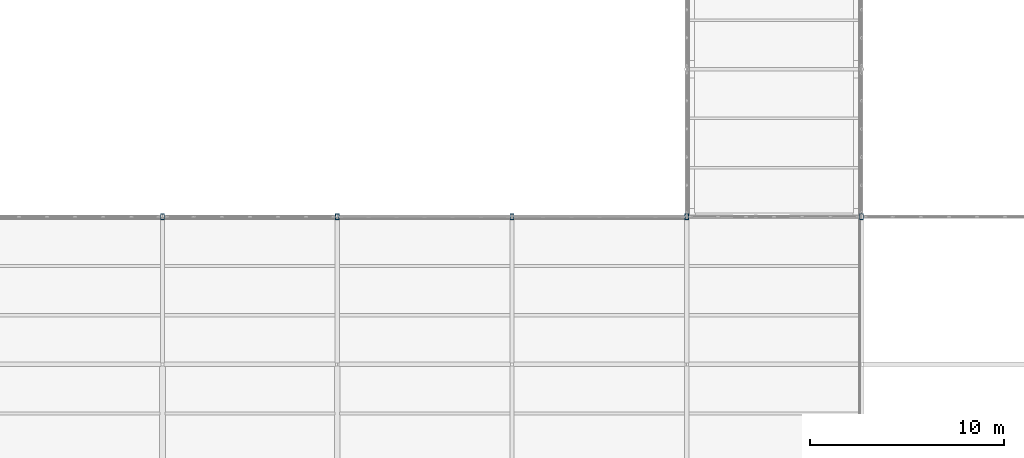
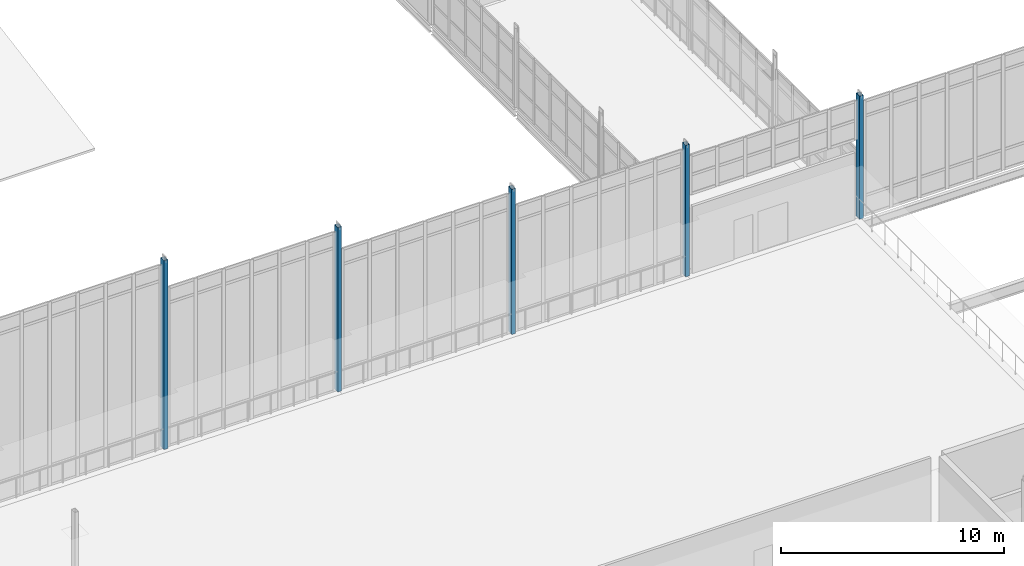
# One storey, part 5 of 166: 5 columns.
"""IFC4 building model written with IfcOpenShell, lengths in metres."""

from ifc_helpers import new_model, si_unit, direction, frame, origin, origin_2d, place, context, subcontext, project, spatial, hollow_rectangle, extrude, material, material_profile, profile_set, type_object, element, save


model = new_model("IFC4")

# Units and contexts
model_context = context("Model", 3, precision=1e-05, world=origin(), true_north=direction((0.0, 1.0)))
body_context = subcontext(model_context, "Body", "Model", "MODEL_VIEW")
ifc_project = project(units=[si_unit("LENGTHUNIT", "METRE"), si_unit("AREAUNIT", "SQUARE_METRE"), si_unit("VOLUMEUNIT", "CUBIC_METRE"), si_unit("PLANEANGLEUNIT", "RADIAN"), si_unit("MASSUNIT", "GRAM", prefix="KILO")], contexts=[model_context])

# Site, building, storey
site_placement = place(None, origin())
site = spatial("IfcSite", under=ifc_project, at=site_placement, CompositionType="ELEMENT")
building_placement = place(site_placement, origin())
building = spatial("IfcBuilding", under=site, at=building_placement, Name="Caisbarro Railhouse Central Library", CompositionType="ELEMENT")
storey_placement = place(building_placement, frame((0.0, 0.0, 9.360107421875)))
storey = spatial("IfcBuildingStorey", under=building, at=storey_placement, Name="L02", CompositionType="ELEMENT", Elevation=9.360107421875)

# Columns
ifc_material = material(Name="Steel ASTM A572 Grade 50", Category="steel")
ifc_material_profile = material_profile(ifc_material, hollow_rectangle(XDim=0.199951171875, YDim=0.300048828125, WallThickness=0.012451171875, at=origin_2d()), Name="HSS300X200X12.5")
ifc_profile_set = profile_set([ifc_material_profile], Name="Steel ASTM A572 Grade 50")
column_type = type_object("IfcColumnType", Name="COL-C09", PredefinedType="COLUMN", material=ifc_profile_set)
column_1_placement = place(storey_placement, frame((27.0, 60.800048828125, 0.0), z_axis=(0.0, 0.0, 1.0), x_axis=(1.0, 0.0, 0.0)))
element("IfcColumn", 1, at=column_1_placement, inside=storey, type_object=column_type, Name="C09 column L02 (27.0,60.8)", PredefinedType="COLUMN", context=body_context, shape_type="SweptSolid", body=[
    extrude(hollow_rectangle(XDim=0.199951171875, YDim=0.300048828125, WallThickness=0.012451171875, at=origin_2d()), origin(), (0.0, 0.0, 1.0), 10.33984375),
])
column_2_placement = place(storey_placement, frame((36.0, 60.800048828125, 0.0), z_axis=(0.0, 0.0, 1.0), x_axis=(1.0, 0.0, 0.0)))
element("IfcColumn", 2, at=column_2_placement, inside=storey, type_object=column_type, Name="C09 column L02 (36.0,60.8)", PredefinedType="COLUMN", context=body_context, shape_type="SweptSolid", body=[
    extrude(hollow_rectangle(XDim=0.199951171875, YDim=0.300048828125, WallThickness=0.012451171875, at=origin_2d()), origin(), (0.0, 0.0, 1.0), 8.989990234375),
])
column_3_placement = place(storey_placement, frame((45.0, 60.800048828125, 0.0), z_axis=(0.0, 0.0, 1.0), x_axis=(1.0, 0.0, 0.0)))
element("IfcColumn", 3, at=column_3_placement, inside=storey, type_object=column_type, Name="C09 column L02 (45.0,60.8)", PredefinedType="COLUMN", context=body_context, shape_type="SweptSolid", body=[
    extrude(hollow_rectangle(XDim=0.199951171875, YDim=0.300048828125, WallThickness=0.012451171875, at=origin_2d()), origin(), (0.0, 0.0, 1.0), 7.93994140625),
])
column_4_placement = place(storey_placement, frame((54.0, 60.800048828125, 0.0), z_axis=(0.0, 0.0, 1.0), x_axis=(1.0, 0.0, 0.0)))
element("IfcColumn", 4, at=column_4_placement, inside=storey, type_object=column_type, Name="C09 column L02 (54.0,60.8)", PredefinedType="COLUMN", context=body_context, shape_type="SweptSolid", body=[
    extrude(hollow_rectangle(XDim=0.199951171875, YDim=0.300048828125, WallThickness=0.012451171875, at=origin_2d()), origin(), (0.0, 0.0, 1.0), 7.18994140625),
])
column_5_placement = place(storey_placement, frame((63.0, 60.800048828125, 0.0), z_axis=(0.0, 0.0, 1.0), x_axis=(1.0, 0.0, 0.0)))
element("IfcColumn", 5, at=column_5_placement, inside=storey, type_object=column_type, Name="C09 column L02 (63.0,60.8)", PredefinedType="COLUMN", context=body_context, shape_type="SweptSolid", body=[
    extrude(hollow_rectangle(XDim=0.199951171875, YDim=0.300048828125, WallThickness=0.012451171875, at=origin_2d()), origin(), (0.0, 0.0, 1.0), 6.739990234375),
])

save(model, "model.ifc")
